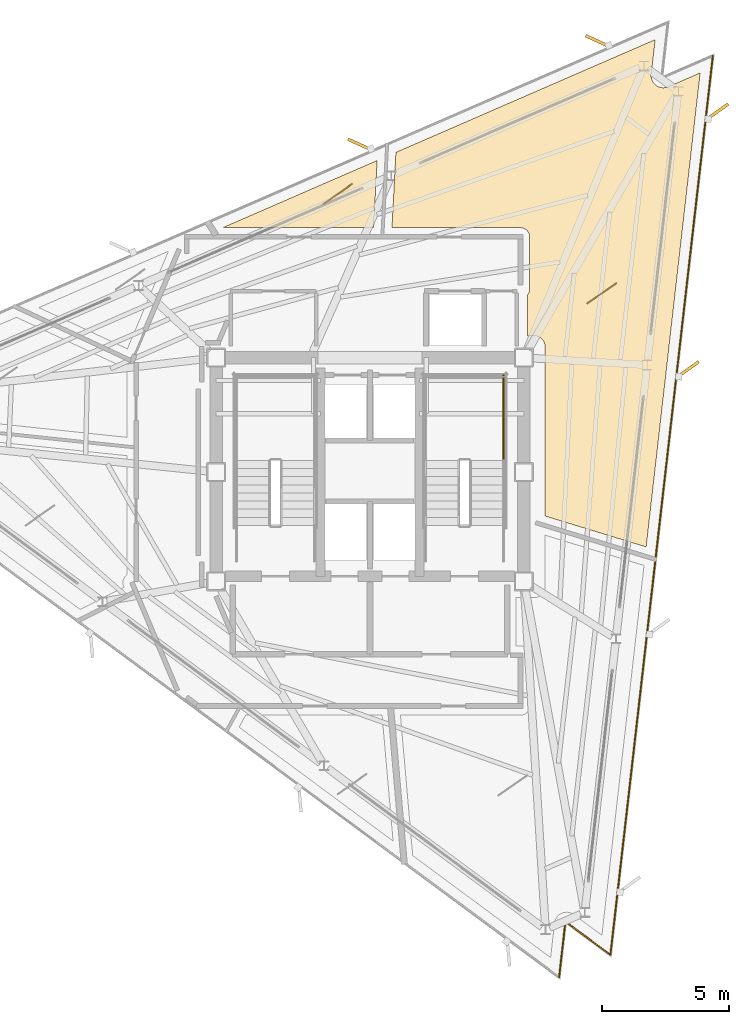
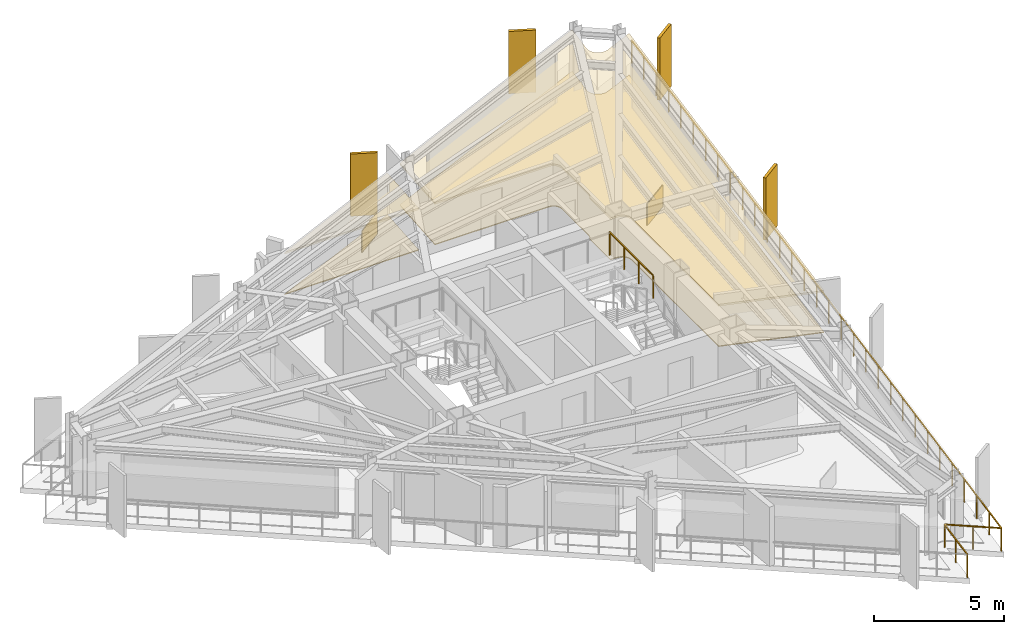
# One storey, part 10 of 10: 6 coverings, 4 shading devices, 2 railings.
"""IFC4 building model written with IfcOpenShell, lengths in metres."""

from ifc_helpers import new_model, si_unit, direction, frame, origin, origin_2d, place, context, subcontext, project, spatial, polyline, rectangle, outline, extrude, material, layer, layer_set, type_object, element, save


model = new_model("IFC4")

# Units and contexts
model_context = context("Model", 3, precision=1e-05, world=origin(), true_north=direction((0.0, 1.0)))
body_context = subcontext(model_context, "Body", "Model", "MODEL_VIEW")
ifc_project = project(units=[si_unit("LENGTHUNIT", "METRE"), si_unit("AREAUNIT", "SQUARE_METRE"), si_unit("VOLUMEUNIT", "CUBIC_METRE"), si_unit("PLANEANGLEUNIT", "RADIAN"), si_unit("MASSUNIT", "GRAM", prefix="KILO")], contexts=[model_context])

# Site, building, storey
site_placement = place(None, origin())
site = spatial("IfcSite", under=ifc_project, at=site_placement, CompositionType="ELEMENT")
building_placement = place(site_placement, origin())
building = spatial("IfcBuilding", under=site, at=building_placement, Name="Rocaltana Carrier Exchange", CompositionType="ELEMENT")
storey_placement = place(building_placement, frame((0.0, 0.0, 230.080078125)))
storey = spatial("IfcBuildingStorey", under=building, at=storey_placement, Name="L73", CompositionType="ELEMENT", Elevation=230.080078125)

# Coverings
ifc_material_1 = material(Name="Honed Bogota Sandstone Tile", Category="masonry")
ifc_layer_1 = layer(ifc_material_1, 0.0400390625)
ifc_layer_set_1 = layer_set([ifc_layer_1], Name="Honed Bogota Sandstone Tile")
covering_type_1 = type_object("IfcCoveringType", Name="Honed Stone Lobby Flooring 40", PredefinedType="FLOORING", material=ifc_layer_set_1)
covering_1_placement = place(storey_placement, origin())
element("IfcCovering", 1, at=covering_1_placement, inside=storey, type_object=covering_type_1, Name="L73 Cloud Architecture Office Finish Floor", PredefinedType="FLOORING", context=body_context, shape_type="SweptSolid", body=[
    extrude(outline(polyline([(6.18994140625, 6.962158203125), (6.206787109375, 6.982421875), (6.21142578125, 6.98876953125), (6.226806640625, 7.01171875), (6.230712890625, 7.018310546875), (6.24365234375, 7.04248046875), (6.2470703125, 7.0498046875), (6.257568359375, 7.0751953125), (6.26025390625, 7.08251953125), (6.268310546875, 7.108642578125), (6.27001953125, 7.116455078125), (6.275390625, 7.143310546875), (6.276611328125, 7.151123046875), (6.279296875, 7.178466796875), (6.27978515625, 7.186279296875), (6.280029296875, 7.199951171875), (6.280029296875, 9.25), (6.27978515625, 9.263671875), (6.279296875, 9.271484375), (6.276611328125, 9.298828125), (6.275390625, 9.306640625), (6.27001953125, 9.33349609375), (6.268310546875, 9.34130859375), (6.26025390625, 9.36767578125), (6.257568359375, 9.375), (6.2470703125, 9.400390625), (6.24365234375, 9.407470703125), (6.230712890625, 9.431640625), (6.226806640625, 9.4384765625), (6.21142578125, 9.461181640625), (6.206787109375, 9.467529296875), (6.189208984375, 9.48876953125), (6.18408203125, 9.49462890625), (6.16455078125, 9.513916015625), (6.15869140625, 9.519287109375), (6.137451171875, 9.53662109375), (6.131103515625, 9.54150390625), (6.1083984375, 9.556640625), (6.101806640625, 9.560791015625), (6.077392578125, 9.57373046875), (6.0703125, 9.576904296875), (6.044921875, 9.58740234375), (6.03759765625, 9.590087890625), (6.01123046875, 9.59814453125), (6.003662109375, 9.60009765625), (5.976806640625, 9.60546875), (5.968994140625, 9.606689453125), (5.941650390625, 9.609375), (5.93359375, 9.609619140625), (5.919921875, 9.610107421875), (0.864013671875, 9.610107421875), (1.01953125, 12.57421875), (11.217041015625, 17.00830078125), (11.06201171875, 15.648193359375), (11.060791015625, 15.634521484375), (11.0595703125, 15.614501953125), (11.05908203125, 15.586669921875), (11.059814453125, 15.566650390625), (11.062255859375, 15.538818359375), (11.06494140625, 15.51904296875), (11.070068359375, 15.49169921875), (11.07470703125, 15.472412109375), (11.08251953125, 15.445556640625), (11.089111328125, 15.4267578125), (11.099609375, 15.40087890625), (11.10791015625, 15.3828125), (11.12109375, 15.358154296875), (11.131103515625, 15.3408203125), (11.146484375, 15.317626953125), (11.158447265625, 15.301513671875), (11.176025390625, 15.27978515625), (11.189453125, 15.26513671875), (11.209228515625, 15.245361328125), (11.223876953125, 15.23193359375), (11.24560546875, 15.21435546875), (11.261474609375, 15.202392578125), (11.284912109375, 15.18701171875), (11.302001953125, 15.1767578125), (11.32666015625, 15.163818359375), (11.344482421875, 15.1552734375), (11.37060546875, 15.144775390625), (11.389404296875, 15.13818359375), (11.416015625, 15.130126953125), (11.435302734375, 15.12548828125), (11.462890625, 15.1201171875), (11.482666015625, 15.117431640625), (11.510498046875, 15.114990234375), (11.5302734375, 15.1142578125), (11.55810546875, 15.114501953125), (11.578125, 15.11572265625), (11.60595703125, 15.118896484375), (11.62548828125, 15.1220703125), (11.65283203125, 15.1279296875), (11.672119140625, 15.133056640625), (11.69873046875, 15.1416015625), (11.71728515625, 15.148681640625), (11.730224609375, 15.15380859375), (12.985595703125, 15.699462890625), (10.861328125, -2.944091796875), (6.889892578125, -1.72998046875), (6.889892578125, 4.919921875), (6.8896484375, 4.93359375), (6.888916015625, 4.949462890625), (6.88623046875, 4.976806640625), (6.8837890625, 4.9921875), (6.87841796875, 5.019287109375), (6.874755859375, 5.034423828125), (6.86669921875, 5.060791015625), (6.861572265625, 5.07568359375), (6.850830078125, 5.100830078125), (6.84423828125, 5.114990234375), (6.831298828125, 5.139404296875), (6.8232421875, 5.15283203125), (6.807861328125, 5.17578125), (6.798583984375, 5.188232421875), (6.781005859375, 5.20947265625), (6.7705078125, 5.22119140625), (6.751220703125, 5.240478515625), (6.739501953125, 5.251220703125), (6.71826171875, 5.2685546875), (6.705810546875, 5.27783203125), (6.682861328125, 5.293212890625), (6.66943359375, 5.30126953125), (6.64501953125, 5.314208984375), (6.630859375, 5.32080078125), (6.605712890625, 5.33154296875), (6.5908203125, 5.336669921875), (6.564453125, 5.3447265625), (6.54931640625, 5.348388671875), (6.522216796875, 5.35400390625), (6.5068359375, 5.356201171875), (6.4794921875, 5.35888671875), (6.463623046875, 5.359619140625), (6.449951171875, 5.360107421875), (6.18994140625, 5.360107421875), (6.18994140625, 6.962158203125)])), origin(), (0.0, 0.0, 1.0), 0.0400390625),
])
covering_2_placement = place(storey_placement, origin())
element("IfcCovering", 2, at=covering_2_placement, inside=storey, type_object=covering_type_1, Name="L73 Peering Conference Room Finish Floor", PredefinedType="FLOORING", context=body_context, shape_type="SweptSolid", body=[
    extrude(outline(polyline([(-5.797607421875, 9.610107421875), (0.28173828125, 12.25341796875), (0.14306640625, 9.610107421875), (-5.797607421875, 9.610107421875)])), origin(), (0.0, 0.0, 1.0), 0.0400390625),
])
ifc_material_2 = material(Name="Anodised Aluminium 6063-T6", Category="aluminium")
ifc_layer_2 = layer(ifc_material_2, 0.0849609375)
ifc_layer_set_2 = layer_set([ifc_layer_2], Name="Anodised Aluminium 6063-T6")
covering_type_2 = type_object("IfcCoveringType", Name="Linear Baffle Acoustic Ceiling 85", PredefinedType="CEILING", material=ifc_layer_set_2)
covering_3_placement = place(storey_placement, frame((0.0, 0.0, 1.90283203125)))
element("IfcCovering", 3, at=covering_3_placement, inside=storey, type_object=covering_type_2, Name="L73 Cloud Architecture Office Acoustic Ceiling", PredefinedType="CEILING", context=body_context, shape_type="SweptSolid", body=[
    extrude(outline(polyline([(6.18994140625, 6.962158203125), (6.206787109375, 6.982421875), (6.21142578125, 6.98876953125), (6.226806640625, 7.01171875), (6.230712890625, 7.018310546875), (6.24365234375, 7.04248046875), (6.2470703125, 7.0498046875), (6.257568359375, 7.0751953125), (6.26025390625, 7.08251953125), (6.268310546875, 7.108642578125), (6.27001953125, 7.116455078125), (6.275390625, 7.143310546875), (6.276611328125, 7.151123046875), (6.279296875, 7.178466796875), (6.27978515625, 7.186279296875), (6.280029296875, 7.199951171875), (6.280029296875, 9.25), (6.27978515625, 9.263671875), (6.279296875, 9.271484375), (6.276611328125, 9.298828125), (6.275390625, 9.306640625), (6.27001953125, 9.33349609375), (6.268310546875, 9.34130859375), (6.26025390625, 9.36767578125), (6.257568359375, 9.375), (6.2470703125, 9.400390625), (6.24365234375, 9.407470703125), (6.230712890625, 9.431640625), (6.226806640625, 9.4384765625), (6.21142578125, 9.461181640625), (6.206787109375, 9.467529296875), (6.189208984375, 9.48876953125), (6.18408203125, 9.49462890625), (6.16455078125, 9.513916015625), (6.15869140625, 9.519287109375), (6.137451171875, 9.53662109375), (6.131103515625, 9.54150390625), (6.1083984375, 9.556640625), (6.101806640625, 9.560791015625), (6.077392578125, 9.57373046875), (6.0703125, 9.576904296875), (6.044921875, 9.58740234375), (6.03759765625, 9.590087890625), (6.01123046875, 9.59814453125), (6.003662109375, 9.60009765625), (5.976806640625, 9.60546875), (5.968994140625, 9.606689453125), (5.941650390625, 9.609375), (5.93359375, 9.609619140625), (5.919921875, 9.610107421875), (0.864013671875, 9.610107421875), (1.01953125, 12.57421875), (11.217041015625, 17.00830078125), (11.06201171875, 15.648193359375), (11.060791015625, 15.634521484375), (11.0595703125, 15.614501953125), (11.05908203125, 15.586669921875), (11.059814453125, 15.566650390625), (11.062255859375, 15.538818359375), (11.06494140625, 15.51904296875), (11.070068359375, 15.49169921875), (11.07470703125, 15.472412109375), (11.08251953125, 15.445556640625), (11.089111328125, 15.4267578125), (11.099609375, 15.40087890625), (11.10791015625, 15.3828125), (11.12109375, 15.358154296875), (11.131103515625, 15.3408203125), (11.146484375, 15.317626953125), (11.158447265625, 15.301513671875), (11.176025390625, 15.27978515625), (11.189453125, 15.26513671875), (11.209228515625, 15.245361328125), (11.223876953125, 15.23193359375), (11.24560546875, 15.21435546875), (11.261474609375, 15.202392578125), (11.284912109375, 15.18701171875), (11.302001953125, 15.1767578125), (11.32666015625, 15.163818359375), (11.344482421875, 15.1552734375), (11.37060546875, 15.144775390625), (11.389404296875, 15.13818359375), (11.416015625, 15.130126953125), (11.435302734375, 15.12548828125), (11.462890625, 15.1201171875), (11.482666015625, 15.117431640625), (11.510498046875, 15.114990234375), (11.5302734375, 15.1142578125), (11.55810546875, 15.114501953125), (11.578125, 15.11572265625), (11.60595703125, 15.118896484375), (11.62548828125, 15.1220703125), (11.65283203125, 15.1279296875), (11.672119140625, 15.133056640625), (11.69873046875, 15.1416015625), (11.71728515625, 15.148681640625), (11.730224609375, 15.15380859375), (12.985595703125, 15.699462890625), (10.861328125, -2.944091796875), (6.889892578125, -1.72998046875), (6.889892578125, 4.919921875), (6.8896484375, 4.93359375), (6.888916015625, 4.949462890625), (6.88623046875, 4.976806640625), (6.8837890625, 4.9921875), (6.87841796875, 5.019287109375), (6.874755859375, 5.034423828125), (6.86669921875, 5.060791015625), (6.861572265625, 5.07568359375), (6.850830078125, 5.100830078125), (6.84423828125, 5.114990234375), (6.831298828125, 5.139404296875), (6.8232421875, 5.15283203125), (6.807861328125, 5.17578125), (6.798583984375, 5.188232421875), (6.781005859375, 5.20947265625), (6.7705078125, 5.22119140625), (6.751220703125, 5.240478515625), (6.739501953125, 5.251220703125), (6.71826171875, 5.2685546875), (6.705810546875, 5.27783203125), (6.682861328125, 5.293212890625), (6.66943359375, 5.30126953125), (6.64501953125, 5.314208984375), (6.630859375, 5.32080078125), (6.605712890625, 5.33154296875), (6.5908203125, 5.336669921875), (6.564453125, 5.3447265625), (6.54931640625, 5.348388671875), (6.522216796875, 5.35400390625), (6.5068359375, 5.356201171875), (6.4794921875, 5.35888671875), (6.463623046875, 5.359619140625), (6.449951171875, 5.360107421875), (6.18994140625, 5.360107421875), (6.18994140625, 6.962158203125)])), origin(), (0.0, 0.0, 1.0), 0.085205078125),
])
covering_4_placement = place(storey_placement, frame((0.0, 0.0, 1.90283203125)))
element("IfcCovering", 4, at=covering_4_placement, inside=storey, type_object=covering_type_2, Name="L73 Peering Conference Room Acoustic Ceiling", PredefinedType="CEILING", context=body_context, shape_type="SweptSolid", body=[
    extrude(outline(polyline([(-5.797607421875, 9.610107421875), (0.28173828125, 12.25341796875), (0.14306640625, 9.610107421875), (-5.797607421875, 9.610107421875)])), origin(), (0.0, 0.0, 1.0), 0.085205078125),
])

# Railing
ifc_material_3 = material(Name="Powder-Coated Aluminium 6063-T6", Category="aluminium")
ifc_layer_3 = layer(ifc_material_3, 0.048095703125)
ifc_layer_set_3 = layer_set([ifc_layer_3], Name="Powder-Coated Aluminium 6063-T6")
railing_type_1 = type_object("IfcRailingType", Name="Stair Well Guardrail 1100", PredefinedType="GUARDRAIL", material=ifc_layer_set_3)
railing_1_placement = place(storey_placement, frame((5.25, 0.4599609375, 1.52001953125)))
element("IfcRailing", 5, at=railing_1_placement, inside=storey, type_object=railing_type_1, Name="L73 ST-2 stair guard 3", PredefinedType="GUARDRAIL", context=body_context, shape_type="SweptSolid", body=[
    extrude(rectangle(XDim=0.048095703125, YDim=0.048095703125, at=origin_2d()), frame((0.0, 0.0, 1.076171875), z_axis=(0.0, 1.0, 0.0), x_axis=(-1.0, 0.0, 0.0)), (0.0, 0.0, 1.0), 3.340087890625),
    extrude(rectangle(XDim=0.0419921875, YDim=0.0419921875, at=origin_2d()), origin(), (0.0, 0.0, 1.0), 1.052001953125),
    extrude(rectangle(XDim=0.0419921875, YDim=0.0419921875, at=origin_2d()), frame((0.0, 1.11328125, 0.0)), (0.0, 0.0, 1.0), 1.052001953125),
    extrude(rectangle(XDim=0.0419921875, YDim=0.0419921875, at=origin_2d()), frame((0.0, 2.226806640625, 0.0)), (0.0, 0.0, 1.0), 1.052001953125),
    extrude(rectangle(XDim=0.0419921875, YDim=0.0419921875, at=origin_2d()), frame((0.0, 3.340087890625, 0.0)), (0.0, 0.0, 1.0), 1.052001953125),
])

# Coverings
ifc_material_4 = material(Name="Honed Piedra Muneca Sandstone", Category="masonry")
ifc_layer_4 = layer(ifc_material_4, 0.034912109375)
ifc_layer_set_4 = layer_set([ifc_layer_4], Name="Honed Piedra Muneca Sandstone")
covering_type_3 = type_object("IfcCoveringType", Name="Stone Facade Cladding 35", PredefinedType="CLADDING", material=ifc_layer_set_4)
for number, where, z_axis, x_axis, name in (
    (6, (9.117431640625, 7.030517578125, 0.0), (0.0, 0.0, 1.0), (0.819152044289, 0.573576436351, 0.0), "L73 Stone Facade Cladding Panel 4"),
    (7, (-1.272705078125, 10.931640625, 0.0), (0.0, 0.0, 1.0), (0.819152044289, 0.573576436351, 0.0), "L73 Stone Facade Cladding Panel 5"),
):
    element("IfcCovering", number, at=place(storey_placement, frame(where, z_axis=z_axis, x_axis=x_axis)), inside=storey, type_object=covering_type_3, Name=name, PredefinedType="CLADDING", context=body_context, shape_type="SweptSolid", body=[
        extrude(rectangle(XDim=1.39990234375, YDim=0.034912109375, at=origin_2d()), origin(), (0.0, 0.0, 1.0), 1.050048828125),
    ])

# Shading devices
ifc_material_5 = material(Name="Honed Bogota Sandstone & Concrete C45/55", Category="masonry")
ifc_layer_5 = layer(ifc_material_5, 0.1201171875)
ifc_layer_set_5 = layer_set([ifc_layer_5], Name="Honed Bogota Sandstone & Concrete C45/55")
shading_device_type = type_object("IfcShadingDeviceType", Name="Upper Sandstone Shading Fin 1050x120", PredefinedType="USERDEFINED", material=ifc_layer_set_5)
for number, where, z_axis, x_axis, name in (
    (8, (12.502197265625, 4.03515625, -0.1201171875), (0.0, 0.0, 1.0), (0.814115518356, 0.580702955711, 0.0), "L73 Sandstone Vertical Fin F1-03"),
    (9, (13.656982421875, 14.169677734375, -0.1201171875), (0.0, 0.0, 1.0), (0.814115518356, 0.580702955711, 0.0), "L73 Sandstone Vertical Fin F1-04"),
    (10, (8.96240234375, 16.944091796875, -0.1201171875), (0.0, 0.0, 1.0), (-0.909961270877, 0.414693242656, 0.0), "L73 Sandstone Vertical Fin F2-01"),
    (11, (-0.3916015625, 12.876953125, -0.1201171875), (0.0, 0.0, 1.0), (-0.909961270877, 0.414693242656, 0.0), "L73 Sandstone Vertical Fin F2-02"),
):
    element("IfcShadingDevice", number, at=place(storey_placement, frame(where, z_axis=z_axis, x_axis=x_axis)), inside=storey, type_object=shading_device_type, Name=name, ObjectType="FIN", PredefinedType="USERDEFINED", context=body_context, shape_type="SweptSolid", body=[
        extrude(rectangle(XDim=1.050048828125, YDim=0.1201171875, at=origin_2d()), origin(), (0.0, 0.0, 1.0), 2.91796875),
    ])

# Railing
ifc_material_6 = material(Name="Powder-Coated Aluminium 6063-T6", Category="aluminium")
ifc_layer_6 = layer(ifc_material_6, 0.06005859375)
ifc_layer_set_6 = layer_set([ifc_layer_6], Name="Powder-Coated Aluminium 6063-T6")
railing_type_2 = type_object("IfcRailingType", Name="Wind-Floor & Terrace Perimeter Guardrail 1100", PredefinedType="GUARDRAIL", material=ifc_layer_set_6)
railing_2_placement = place(storey_placement, frame((13.485107421875, 16.374755859375, 0.0)))
element("IfcRailing", 12, at=railing_2_placement, inside=storey, type_object=railing_type_2, Name="L73 Perimeter Balcony Guardrail 3", PredefinedType="GUARDRAIL", context=body_context, shape_type="SweptSolid", body=[
    extrude(rectangle(XDim=0.048095703125, YDim=0.048095703125, at=origin_2d()), frame((0.0, 0.0, 1.076171875), z_axis=(-0.113200877656, -0.99357212184, 0.0), x_axis=(0.99357212184, -0.113200877656, 0.0)), (0.0, 0.0, 1.0), 35.592041015625),
    extrude(rectangle(XDim=0.048095703125, YDim=0.048095703125, at=origin_2d()), frame((-4.029052734375, -35.36328125, 1.076171875), z_axis=(-0.803871612758, 0.59480284986, 0.0), x_axis=(-0.59480284986, -0.803871612758, 0.0)), (0.0, 0.0, 1.0), 2.199951171875),
    extrude(rectangle(XDim=0.048095703125, YDim=0.048095703125, at=origin_2d()), frame((-5.797607421875, -34.0546875, 1.076171875), z_axis=(-0.113183557839, -0.99357409499, 0.0), x_axis=(0.99357409499, -0.113183557839, 0.0)), (0.0, 0.0, 1.0), 2.2001953125),
    extrude(rectangle(XDim=0.0419921875, YDim=0.0419921875, at=origin_2d()), origin(), (0.0, 0.0, 1.0), 1.052001953125),
    extrude(rectangle(XDim=0.0419921875, YDim=0.0419921875, at=origin_2d()), frame((-0.13427734375, -1.1787109375, 0.0)), (0.0, 0.0, 1.0), 1.052001953125),
    extrude(rectangle(XDim=0.0419921875, YDim=0.0419921875, at=origin_2d()), frame((-0.2685546875, -2.357666015625, 0.0)), (0.0, 0.0, 1.0), 1.052001953125),
    extrude(rectangle(XDim=0.0419921875, YDim=0.0419921875, at=origin_2d()), frame((-0.40283203125, -3.536376953125, 0.0)), (0.0, 0.0, 1.0), 1.052001953125),
    extrude(rectangle(XDim=0.0419921875, YDim=0.0419921875, at=origin_2d()), frame((-0.537109375, -4.715087890625, 0.0)), (0.0, 0.0, 1.0), 1.052001953125),
    extrude(rectangle(XDim=0.0419921875, YDim=0.0419921875, at=origin_2d()), frame((-0.67138671875, -5.893798828125, 0.0)), (0.0, 0.0, 1.0), 1.052001953125),
    extrude(rectangle(XDim=0.0419921875, YDim=0.0419921875, at=origin_2d()), frame((-0.805908203125, -7.07275390625, 0.0)), (0.0, 0.0, 1.0), 1.052001953125),
    extrude(rectangle(XDim=0.0419921875, YDim=0.0419921875, at=origin_2d()), frame((-0.940185546875, -8.25146484375, 0.0)), (0.0, 0.0, 1.0), 1.052001953125),
    extrude(rectangle(XDim=0.0419921875, YDim=0.0419921875, at=origin_2d()), frame((-1.074462890625, -9.43017578125, 0.0)), (0.0, 0.0, 1.0), 1.052001953125),
    extrude(rectangle(XDim=0.0419921875, YDim=0.0419921875, at=origin_2d()), frame((-1.208740234375, -10.60888671875, 0.0)), (0.0, 0.0, 1.0), 1.052001953125),
    extrude(rectangle(XDim=0.0419921875, YDim=0.0419921875, at=origin_2d()), frame((-1.343017578125, -11.787841796875, 0.0)), (0.0, 0.0, 1.0), 1.052001953125),
    extrude(rectangle(XDim=0.0419921875, YDim=0.0419921875, at=origin_2d()), frame((-1.477294921875, -12.966552734375, 0.0)), (0.0, 0.0, 1.0), 1.052001953125),
    extrude(rectangle(XDim=0.0419921875, YDim=0.0419921875, at=origin_2d()), frame((-1.611572265625, -14.145263671875, 0.0)), (0.0, 0.0, 1.0), 1.052001953125),
    extrude(rectangle(XDim=0.0419921875, YDim=0.0419921875, at=origin_2d()), frame((-1.745849609375, -15.323974609375, 0.0)), (0.0, 0.0, 1.0), 1.052001953125),
    extrude(rectangle(XDim=0.0419921875, YDim=0.0419921875, at=origin_2d()), frame((-1.880126953125, -16.5029296875, 0.0)), (0.0, 0.0, 1.0), 1.052001953125),
    extrude(rectangle(XDim=0.0419921875, YDim=0.0419921875, at=origin_2d()), frame((-2.0146484375, -17.681640625, 0.0)), (0.0, 0.0, 1.0), 1.052001953125),
    extrude(rectangle(XDim=0.0419921875, YDim=0.0419921875, at=origin_2d()), frame((-2.14892578125, -18.8603515625, 0.0)), (0.0, 0.0, 1.0), 1.052001953125),
    extrude(rectangle(XDim=0.0419921875, YDim=0.0419921875, at=origin_2d()), frame((-2.283203125, -20.039306640625, 0.0)), (0.0, 0.0, 1.0), 1.052001953125),
    extrude(rectangle(XDim=0.0419921875, YDim=0.0419921875, at=origin_2d()), frame((-2.41748046875, -21.218017578125, 0.0)), (0.0, 0.0, 1.0), 1.052001953125),
    extrude(rectangle(XDim=0.0419921875, YDim=0.0419921875, at=origin_2d()), frame((-2.5517578125, -22.396728515625, 0.0)), (0.0, 0.0, 1.0), 1.052001953125),
    extrude(rectangle(XDim=0.0419921875, YDim=0.0419921875, at=origin_2d()), frame((-2.68603515625, -23.575439453125, 0.0)), (0.0, 0.0, 1.0), 1.052001953125),
    extrude(rectangle(XDim=0.0419921875, YDim=0.0419921875, at=origin_2d()), frame((-2.8203125, -24.75439453125, 0.0)), (0.0, 0.0, 1.0), 1.052001953125),
    extrude(rectangle(XDim=0.0419921875, YDim=0.0419921875, at=origin_2d()), frame((-2.95458984375, -25.93310546875, 0.0)), (0.0, 0.0, 1.0), 1.052001953125),
    extrude(rectangle(XDim=0.0419921875, YDim=0.0419921875, at=origin_2d()), frame((-3.0888671875, -27.11181640625, 0.0)), (0.0, 0.0, 1.0), 1.052001953125),
    extrude(rectangle(XDim=0.0419921875, YDim=0.0419921875, at=origin_2d()), frame((-3.22314453125, -28.29052734375, 0.0)), (0.0, 0.0, 1.0), 1.052001953125),
    extrude(rectangle(XDim=0.0419921875, YDim=0.0419921875, at=origin_2d()), frame((-3.357421875, -29.469482421875, 0.0)), (0.0, 0.0, 1.0), 1.052001953125),
    extrude(rectangle(XDim=0.0419921875, YDim=0.0419921875, at=origin_2d()), frame((-3.491943359375, -30.648193359375, 0.0)), (0.0, 0.0, 1.0), 1.052001953125),
    extrude(rectangle(XDim=0.0419921875, YDim=0.0419921875, at=origin_2d()), frame((-3.626220703125, -31.826904296875, 0.0)), (0.0, 0.0, 1.0), 1.052001953125),
    extrude(rectangle(XDim=0.0419921875, YDim=0.0419921875, at=origin_2d()), frame((-3.760498046875, -33.005615234375, 0.0)), (0.0, 0.0, 1.0), 1.052001953125),
    extrude(rectangle(XDim=0.0419921875, YDim=0.0419921875, at=origin_2d()), frame((-3.894775390625, -34.1845703125, 0.0)), (0.0, 0.0, 1.0), 1.052001953125),
    extrude(rectangle(XDim=0.0419921875, YDim=0.0419921875, at=origin_2d()), frame((-4.029052734375, -35.36328125, 0.0)), (0.0, 0.0, 1.0), 1.052001953125),
    extrude(rectangle(XDim=0.0419921875, YDim=0.0419921875, at=origin_2d()), frame((-4.913330078125, -34.708984375, 0.0)), (0.0, 0.0, 1.0), 1.052001953125),
    extrude(rectangle(XDim=0.0419921875, YDim=0.0419921875, at=origin_2d()), frame((-5.797607421875, -34.0546875, 0.0)), (0.0, 0.0, 1.0), 1.052001953125),
    extrude(rectangle(XDim=0.0419921875, YDim=0.0419921875, at=origin_2d()), frame((-5.922119140625, -35.147705078125, 0.0)), (0.0, 0.0, 1.0), 1.052001953125),
    extrude(rectangle(XDim=0.0419921875, YDim=0.0419921875, at=origin_2d()), frame((-6.046630859375, -36.24072265625, 0.0)), (0.0, 0.0, 1.0), 1.052001953125),
])

save(model, "model.ifc")
